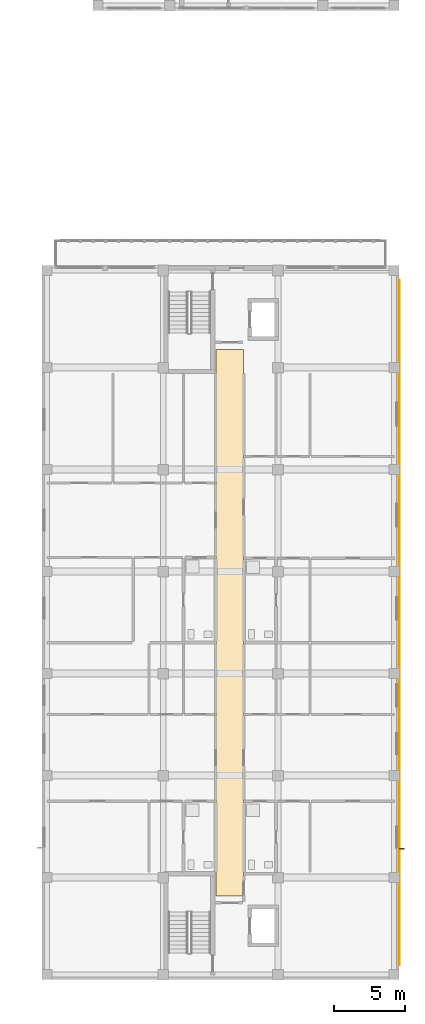
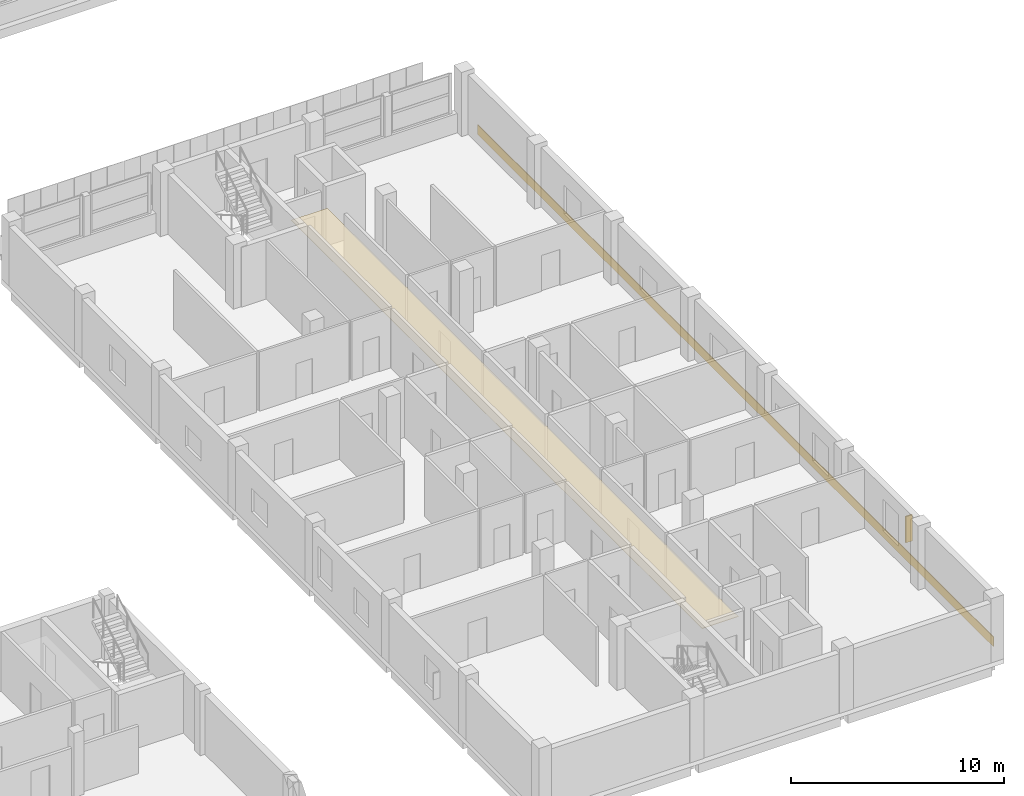
# One storey, part 68 of 73: 2 coverings, 1 shading device.
"""IFC4 building model written with IfcOpenShell, lengths in metres."""

from ifc_helpers import new_model, si_unit, derived_unit, direction, frame, origin, origin_2d, place, context, subcontext, project, spatial, polyline, rectangle, outline, extrude, material, layer, layer_set, type_object, element, save


model = new_model("IFC4")

# Units and contexts
model_context = context("Model", 3, precision=1e-05, world=origin(), true_north=direction((0.0, 1.0)))
body_context = subcontext(model_context, "Body", "Model", "MODEL_VIEW")
ifc_project = project(units=[si_unit("LENGTHUNIT", "METRE"), si_unit("AREAUNIT", "SQUARE_METRE"), si_unit("VOLUMEUNIT", "CUBIC_METRE"), si_unit("PLANEANGLEUNIT", "RADIAN"), si_unit("MASSUNIT", "GRAM", prefix="KILO"), derived_unit("THERMALTRANSMITTANCEUNIT", [(si_unit("MASSUNIT", "GRAM", prefix="KILO"), 1), (si_unit("TIMEUNIT", "SECOND"), -3), (si_unit("THERMODYNAMICTEMPERATUREUNIT", "KELVIN"), -1)])], contexts=[model_context])

# Site, building, storey
site_placement = place(None, origin())
site = spatial("IfcSite", under=ifc_project, at=site_placement, CompositionType="ELEMENT")
building_placement = place(site_placement, origin())
building = spatial("IfcBuilding", under=site, at=building_placement, Name="Ochrekiln Boulevard Commons", CompositionType="ELEMENT")
storey_placement = place(building_placement, frame((0.0, 0.0, 4.89990234375)))
storey = spatial("IfcBuildingStorey", under=building, at=storey_placement, Name="L01", CompositionType="ELEMENT", Elevation=4.89990234375)

# Coverings
ifc_material_1 = material(Name="Mineral-fibre acoustic ceiling tile")
ifc_layer_1 = layer(ifc_material_1, 0.02490234375)
ifc_layer_set_1 = layer_set([ifc_layer_1], Name="Mineral-fibre acoustic ceiling tile")
covering_type_1 = type_object("IfcCoveringType", Name="COV-CEIL-AC", PredefinedType="CEILING", material=ifc_layer_set_1)
covering_1_placement = place(storey_placement, frame((0.0, 0.0, 2.650146484375)))
element("IfcCovering", 1, at=covering_1_placement, inside=storey, type_object=covering_type_1, Name="L01 Acoustic Corridor Ceiling 19", PredefinedType="CEILING", context=body_context, shape_type="SweptSolid", body=[
    extrude(outline(polyline([(159.8701171875, 5.919921875), (161.830078125, 5.919921875), (161.830078125, 44.47998046875), (159.8701171875, 44.47998046875), (159.8701171875, 5.919921875)])), origin(), (0.0, 0.0, 1.0), 0.02490234375),
])
ifc_material_2 = material(Name="Glazed architectural terracotta ASTM C1405", Category="masonry")
ifc_layer_2 = layer(ifc_material_2, 0.0400390625)
ifc_layer_set_2 = layer_set([ifc_layer_2], Name="Glazed architectural terracotta ASTM C1405")
covering_type_2 = type_object("IfcCoveringType", Name="COV-CLAD-TERRA", PredefinedType="CLADDING", material=ifc_layer_set_2)
covering_2_placement = place(storey_placement, frame((172.820068359375, 25.199951171875, 0.0751953125), z_axis=(0.0, 0.0, 1.0), x_axis=(1.0, 0.0, 0.0)))
element("IfcCovering", 2, at=covering_2_placement, inside=storey, type_object=covering_type_2, Name="Block C L01 Glazed Terracotta Spandrel Band", PredefinedType="CLADDING", context=body_context, shape_type="SweptSolid", body=[
    extrude(rectangle(XDim=0.0400390625, YDim=48.39990234375, at=origin_2d()), origin(), (0.0, 0.0, 1.0), 0.550048828125),
])

# Shading device
shading_device_type = type_object("IfcShadingDeviceType", Name="SHD-FIN-TERRA", PredefinedType="JALOUSIE", material=ifc_material_2)
shading_device_placement = place(storey_placement, frame((172.969970703125, 9.236083984375, 1.050048828125), z_axis=(0.0, 0.0, 1.0), x_axis=(1.0, 0.0, 0.0)))
element("IfcShadingDevice", 3, at=shading_device_placement, inside=storey, type_object=shading_device_type, Name="Terracotta Solar Shading Fin SF-01 (55)", PredefinedType="JALOUSIE", context=body_context, shape_type="SweptSolid", body=[
    extrude(rectangle(XDim=0.35009765625, YDim=0.080078125, at=origin_2d()), origin(), (0.0, 0.0, 1.0), 1.5),
])

save(model, "model.ifc")
